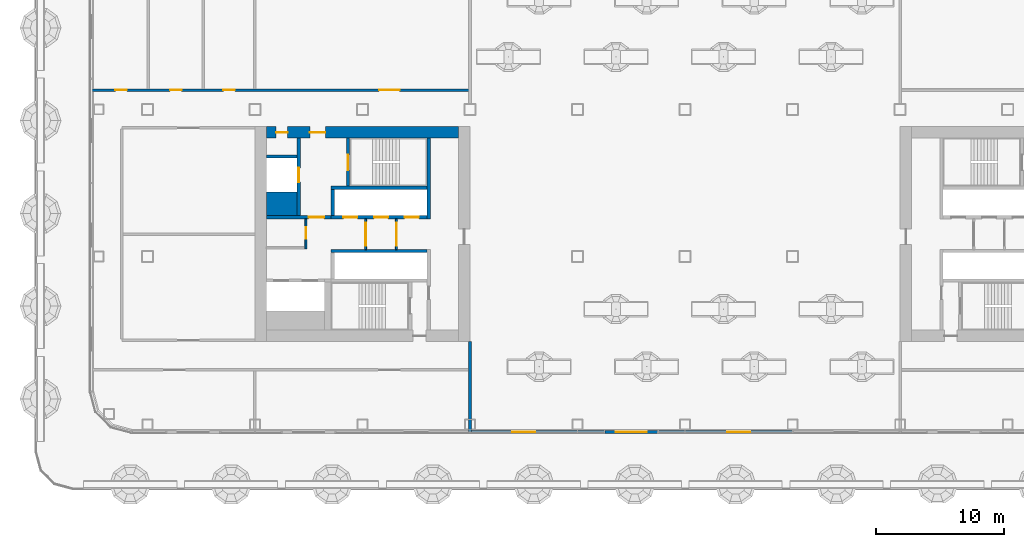
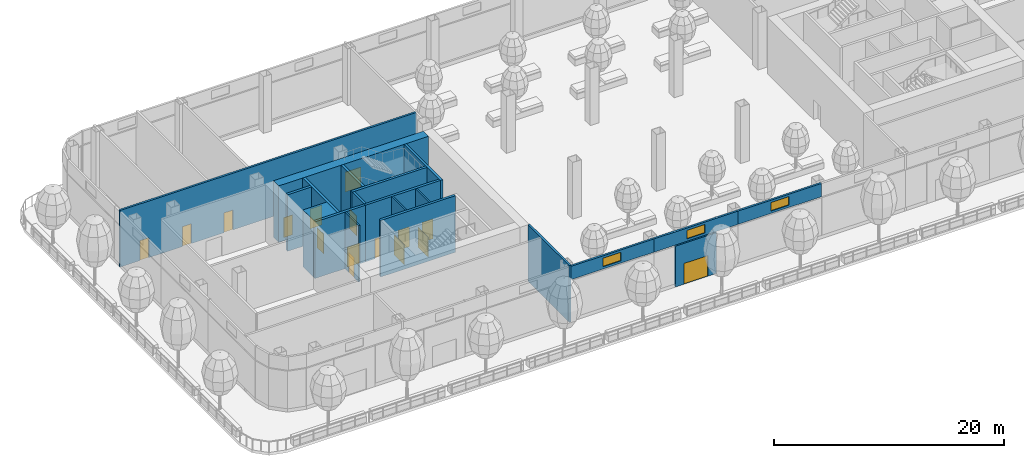
# One storey, part 13 of 44: 20 walls, 16 doors, 3 windows, 19 openings, 1 element without a shape of its own.
"""IFC4 building model written with IfcOpenShell, lengths in metres."""

from ifc_helpers import new_model, si_unit, direction, frame, frame_2d, origin, place, context, subcontext, project, spatial, rectangle, extrude, material, layer, layer_set, type_object, element, fill, aggregate, save


model = new_model("IFC4")

# Units and contexts
model_context = context("Model", 3, precision=1e-05, world=origin(), true_north=direction((0.0, 1.0)))
body_context = subcontext(model_context, "Body", "Model", "MODEL_VIEW")
ifc_project = project(units=[si_unit("LENGTHUNIT", "METRE"), si_unit("AREAUNIT", "SQUARE_METRE"), si_unit("VOLUMEUNIT", "CUBIC_METRE"), si_unit("PLANEANGLEUNIT", "RADIAN"), si_unit("MASSUNIT", "GRAM", prefix="KILO")], contexts=[model_context])

# Site, building, storey
site_placement = place(None, origin())
site = spatial("IfcSite", under=ifc_project, at=site_placement, CompositionType="ELEMENT")
building_placement = place(site_placement, origin())
building = spatial("IfcBuilding", under=site, at=building_placement, Name="Hakoniwa Tower and Hamabe Station Hall", CompositionType="ELEMENT")
storey_placement = place(building_placement, frame((0.0, 0.0, 69.0)))
storey = spatial("IfcBuildingStorey", under=building, at=storey_placement, Name="L19", CompositionType="ELEMENT", Elevation=69.0)

# Wall, opening, door
ifc_material_1 = material(Name="Gypsum board partition")
ifc_layer_1 = layer(ifc_material_1, 0.14990234375)
ifc_layer_set_1 = layer_set([ifc_layer_1], Name="CORE PARTITION 150 EI 60")
wall_type_1 = type_object("IfcWallType", Name="CORE PARTITION 150 EI 60", PredefinedType="PARTITIONING", material=ifc_layer_set_1)
wall_1_placement = place(storey_placement, frame((-22.550048828125, -1.199951171875, 0.0), z_axis=(0.0, 0.0, 1.0), x_axis=(0.0, 1.0, 0.0)))
wall_1 = element("IfcWall", 1, at=wall_1_placement, inside=storey, type_object=wall_type_1, Name="Core partition PL0 west", PredefinedType="PARTITIONING", context=body_context, shape_type="SweptSolid", body=[
    extrude(rectangle(XDim=2.39990234375, YDim=0.14990234375, at=frame_2d((1.199951171875, 0.0))), origin(), (0.0, 0.0, 1.0), 6.0),
])
opening_1_placement = place(wall_1_placement, frame((0.300048828125, 0.0, 0.0)))
opening_1 = element("IfcOpeningElement", 2, at=opening_1_placement, cuts=wall_1, Name="Opening CD-W-LP0-18", PredefinedType="OPENING", context=body_context, shape_type="SweptSolid", body=[
    extrude(rectangle(XDim=1.800048828125, YDim=2.10009765625, at=frame_2d((0.89990234375, 1.050048828125))), frame((0.0, 0.0849609375, 0.0), z_axis=(0.0, -1.0, 0.0), x_axis=(1.0, 0.0, 0.0)), (0.0, 0.0, 1.0), 0.169921875),
])
ifc_material_2 = material(Name="Steel fire door", Category="steel")
door_type_1 = type_object("IfcDoorType", Name="CORE DOOR 1800 FD60", OperationType="DOUBLE_DOOR_SINGLE_SWING", PredefinedType="DOOR", material=ifc_material_2)
door_1_placement = place(opening_1_placement, origin())
door_1 = element("IfcDoor", 3, at=door_1_placement, inside=storey, type_object=door_type_1, Name="Lift lobby partition door", OperationType="DOUBLE_DOOR_SINGLE_SWING", OverallHeight=2.10009765625, OverallWidth=1.800048828125, PredefinedType="DOOR", context=body_context, shape_type="SweptSolid", body=[
    extrude(rectangle(XDim=1.800048828125, YDim=2.10009765625, at=frame_2d((0.89990234375, 1.050048828125))), frame((0.0, 0.02490234375, 0.0), z_axis=(0.0, -1.0, 0.0), x_axis=(1.0, 0.0, 0.0)), (0.0, 0.0, 1.0), 0.050048828125),
])
fill(opening_1, door_1)

wall_2_placement = place(storey_placement, frame((-24.949951171875, -1.199951171875, 0.0), z_axis=(0.0, 0.0, 1.0), x_axis=(0.0, 1.0, 0.0)))
wall_2 = element("IfcWall", 4, at=wall_2_placement, inside=storey, type_object=wall_type_1, Name="Core partition PL1 west", PredefinedType="PARTITIONING", context=body_context, shape_type="SweptSolid", body=[
    extrude(rectangle(XDim=2.39990234375, YDim=0.14990234375, at=frame_2d((1.199951171875, 0.0))), origin(), (0.0, 0.0, 1.0), 6.0),
])
opening_2_placement = place(wall_2_placement, frame((0.300048828125, 0.0, 0.0)))
opening_2 = element("IfcOpeningElement", 5, at=opening_2_placement, cuts=wall_2, Name="Opening CD-W-LP1-18", PredefinedType="OPENING", context=body_context, shape_type="SweptSolid", body=[
    extrude(rectangle(XDim=1.800048828125, YDim=2.10009765625, at=frame_2d((0.89990234375, 1.050048828125))), frame((0.0, 0.0849609375, 0.0), z_axis=(0.0, -1.0, 0.0), x_axis=(1.0, 0.0, 0.0)), (0.0, 0.0, 1.0), 0.169921875),
])
door_2_placement = place(opening_2_placement, origin())
door_2 = element("IfcDoor", 6, at=door_2_placement, inside=storey, type_object=door_type_1, Name="Lift lobby partition door", OperationType="DOUBLE_DOOR_SINGLE_SWING", OverallHeight=2.10009765625, OverallWidth=1.800048828125, PredefinedType="DOOR", context=body_context, shape_type="SweptSolid", body=[
    extrude(rectangle(XDim=1.800048828125, YDim=2.10009765625, at=frame_2d((0.89990234375, 1.050048828125))), frame((0.0, 0.02490234375, 0.0), z_axis=(0.0, -1.0, 0.0), x_axis=(1.0, 0.0, 0.0)), (0.0, 0.0, 1.0), 0.050048828125),
])
fill(opening_2, door_2)

wall_3_placement = place(storey_placement, frame((-29.625, -1.14990234375, 0.0), z_axis=(0.0, 0.0, 1.0), x_axis=(0.0, 1.0, 0.0)))
wall_3 = element("IfcWall", 7, at=wall_3_placement, inside=storey, type_object=wall_type_1, Name="Core partition PW0 west", PredefinedType="PARTITIONING", context=body_context, shape_type="SweptSolid", body=[
    extrude(rectangle(XDim=2.349853515625, YDim=0.14990234375, at=frame_2d((1.1748046875, 0.0))), origin(), (0.0, 0.0, 1.0), 6.0),
])
opening_3_placement = place(wall_3_placement, frame((0.800048828125, 0.0, 0.0)))
opening_3 = element("IfcOpeningElement", 8, at=opening_3_placement, cuts=wall_3, Name="Opening CD-W-RM1-9", PredefinedType="OPENING", context=body_context, shape_type="SweptSolid", body=[
    extrude(rectangle(XDim=0.89990234375, YDim=2.10009765625, at=frame_2d((0.449951171875, 1.050048828125))), frame((0.0, 0.0849609375, 0.0), z_axis=(0.0, -1.0, 0.0), x_axis=(1.0, 0.0, 0.0)), (0.0, 0.0, 1.0), 0.169921875),
])
ifc_material_3 = material(Name="Steel fire door", Category="steel")
door_type_2 = type_object("IfcDoorType", Name="CORE DOOR 900 FD30", OperationType="NOTDEFINED", PredefinedType="DOOR", material=ifc_material_3)
door_3_placement = place(opening_3_placement, origin())
door_3 = element("IfcDoor", 9, at=door_3_placement, inside=storey, type_object=door_type_2, Name="Store room door", OperationType="SINGLE_SWING_RIGHT", OverallHeight=2.10009765625, OverallWidth=0.89990234375, PredefinedType="DOOR", context=body_context, shape_type="SweptSolid", body=[
    extrude(rectangle(XDim=0.89990234375, YDim=2.10009765625, at=frame_2d((0.449951171875, 1.050048828125))), frame((0.0, 0.02490234375, 0.0), z_axis=(0.0, -1.0, 0.0), x_axis=(1.0, 0.0, 0.0)), (0.0, 0.0, 1.0), 0.050048828125),
])
fill(opening_3, door_3)

# Wall, openings, doors
ifc_material_4 = material(Name="Concrete C72", Category="concrete")
ifc_layer_2 = layer(ifc_material_4, 0.89990234375)
ifc_layer_set_2 = layer_set([ifc_layer_2], Name="CORE WALL 900 C72")
wall_type_2 = type_object("IfcWallType", Name="CORE WALL 900 C72", PredefinedType="SHEAR", material=ifc_layer_set_2)
wall_4_placement = place(storey_placement, frame((-32.699951171875, 7.949951171875, 0.0), z_axis=(0.0, 0.0, 1.0), x_axis=(1.0, 0.0, 0.0)))
wall_4 = element("IfcWall", 10, at=wall_4_placement, inside=storey, type_object=wall_type_2, Name="Core wall NORTH west", PredefinedType="SHEAR", context=body_context, shape_type="SweptSolid", body=[
    extrude(rectangle(XDim=15.0, YDim=0.89990234375, at=frame_2d((7.5, 0.0))), origin(), (0.0, 0.0, 1.0), 6.0),
])
opening_4_placement = place(wall_4_placement, frame((3.39990234375, 0.0, 0.0)))
opening_4 = element("IfcOpeningElement", 11, at=opening_4_placement, cuts=wall_4, Name="Opening CD-W-FN1-12", PredefinedType="OPENING", context=body_context, shape_type="SweptSolid", body=[
    extrude(rectangle(XDim=1.199951171875, YDim=2.10009765625, at=frame_2d((0.60009765625, 1.050048828125))), frame((0.0, 0.4599609375, 0.0), z_axis=(0.0, -1.0, 0.0), x_axis=(1.0, 0.0, 0.0)), (0.0, 0.0, 1.0), 0.919921875),
])
opening_5_placement = place(wall_4_placement, frame((0.75, 0.0, 0.0)))
opening_5 = element("IfcOpeningElement", 12, at=opening_5_placement, cuts=wall_4, Name="Opening CD-W-FN2-9", PredefinedType="OPENING", context=body_context, shape_type="SweptSolid", body=[
    extrude(rectangle(XDim=0.89990234375, YDim=2.10009765625, at=frame_2d((0.449951171875, 1.050048828125))), frame((0.0, 0.4599609375, 0.0), z_axis=(0.0, -1.0, 0.0), x_axis=(1.0, 0.0, 0.0)), (0.0, 0.0, 1.0), 0.919921875),
])
ifc_material_5 = material(Name="Steel fire door", Category="steel")
door_type_3 = type_object("IfcDoorType", Name="CORE DOOR 1200 FD60", OperationType="DOUBLE_DOOR_SINGLE_SWING", PredefinedType="DOOR", material=ifc_material_5)
door_4_placement = place(opening_4_placement, origin())
door_4 = element("IfcDoor", 13, at=door_4_placement, inside=storey, type_object=door_type_3, Name="Stair vestibule door to the fire-fighting lobby", OperationType="DOUBLE_DOOR_SINGLE_SWING", OverallHeight=2.10009765625, OverallWidth=1.199951171875, PredefinedType="DOOR", context=body_context, shape_type="SweptSolid", body=[
    extrude(rectangle(XDim=1.199951171875, YDim=2.10009765625, at=frame_2d((0.60009765625, 1.050048828125))), frame((0.0, 0.02490234375, 0.0), z_axis=(0.0, -1.0, 0.0), x_axis=(1.0, 0.0, 0.0)), (0.0, 0.0, 1.0), 0.050048828125),
])
fill(opening_4, door_4)
door_5_placement = place(opening_5_placement, origin())
door_5 = element("IfcDoor", 14, at=door_5_placement, inside=storey, type_object=door_type_2, Name="Riser access door", OperationType="SINGLE_SWING_LEFT", OverallHeight=2.10009765625, OverallWidth=0.89990234375, PredefinedType="DOOR", context=body_context, shape_type="SweptSolid", body=[
    extrude(rectangle(XDim=0.89990234375, YDim=2.10009765625, at=frame_2d((0.449951171875, 1.050048828125))), frame((0.0, 0.02490234375, 0.0), z_axis=(0.0, -1.0, 0.0), x_axis=(1.0, 0.0, 0.0)), (0.0, 0.0, 1.0), 0.050048828125),
])
fill(opening_5, door_5)

# Walls
ifc_material_6 = material(Name="Concrete C72", Category="concrete")
ifc_layer_3 = layer(ifc_material_6, 1.85009765625)
ifc_layer_set_3 = layer_set([ifc_layer_3], Name="CORE WEB WALL 1850 C72")
wall_type_3 = type_object("IfcWallType", Name="CORE WEB WALL 1850 C72", PredefinedType="SHEAR", material=ifc_layer_set_3)
wall_5_placement = place(storey_placement, frame((-32.699951171875, 2.375, 0.0), z_axis=(0.0, 0.0, 1.0), x_axis=(1.0, 0.0, 0.0)))
element("IfcWall", 15, at=wall_5_placement, inside=storey, type_object=wall_type_3, Name="Core wall CA west", PredefinedType="SHEAR", context=body_context, shape_type="SweptSolid", body=[
    extrude(rectangle(XDim=2.39990234375, YDim=1.85009765625, at=frame_2d((1.199951171875, 0.0))), origin(), (0.0, 0.0, 1.0), 6.0),
])
ifc_material_7 = material(Name="Concrete C72", Category="concrete")
ifc_layer_4 = layer(ifc_material_7, 0.25)
ifc_layer_set_4 = layer_set([ifc_layer_4], Name="CORE WEB WALL 250 C72")
wall_type_4 = type_object("IfcWallType", Name="CORE WEB WALL 250 C72", PredefinedType="SHEAR", material=ifc_layer_set_4)
wall_6_placement = place(storey_placement, frame((-20.02490234375, 1.199951171875, 0.0), z_axis=(0.0, 0.0, 1.0), x_axis=(0.0, 1.0, 0.0)))
element("IfcWall", 16, at=wall_6_placement, inside=storey, type_object=wall_type_4, Name="Core wall W1N west", PredefinedType="SHEAR", context=body_context, shape_type="SweptSolid", body=[
    extrude(rectangle(XDim=6.300048828125, YDim=0.25, at=frame_2d((3.14990234375, 0.0))), origin(), (0.0, 0.0, 1.0), 6.0),
])

# Wall, openings, doors
wall_7_placement = place(storey_placement, frame((-27.64990234375, 1.324951171875, 0.0), z_axis=(0.0, 0.0, 1.0), x_axis=(1.0, 0.0, 0.0)))
wall_7 = element("IfcWall", 17, at=wall_7_placement, inside=storey, type_object=wall_type_4, Name="Core wall NF west", PredefinedType="SHEAR", context=body_context, shape_type="SweptSolid", body=[
    extrude(rectangle(XDim=7.5, YDim=0.25, at=frame_2d((3.75, 0.0))), origin(), (0.0, 0.0, 1.0), 6.0),
])
opening_6_placement = place(wall_7_placement, frame((5.75, 0.0, 0.0)))
opening_6 = element("IfcOpeningElement", 18, at=opening_6_placement, cuts=wall_7, Name="Opening LD-LR1", PredefinedType="OPENING", context=body_context, shape_type="SweptSolid", body=[
    extrude(rectangle(XDim=1.10009765625, YDim=2.10009765625, at=frame_2d((0.550048828125, 1.050048828125))), frame((0.0, 0.135009765625, 0.0), z_axis=(0.0, -1.0, 0.0), x_axis=(1.0, 0.0, 0.0)), (0.0, 0.0, 1.0), 0.27001953125),
])
opening_7_placement = place(wall_7_placement, frame((3.35009765625, 0.0, 0.0)))
opening_7 = element("IfcOpeningElement", 19, at=opening_7_placement, cuts=wall_7, Name="Opening LD-LR2", PredefinedType="OPENING", context=body_context, shape_type="SweptSolid", body=[
    extrude(rectangle(XDim=1.10009765625, YDim=2.10009765625, at=frame_2d((0.550048828125, 1.050048828125))), frame((0.0, 0.135009765625, 0.0), z_axis=(0.0, -1.0, 0.0), x_axis=(1.0, 0.0, 0.0)), (0.0, 0.0, 1.0), 0.27001953125),
])
opening_8_placement = place(wall_7_placement, frame((0.949951171875, 0.0, 0.0)))
opening_8 = element("IfcOpeningElement", 20, at=opening_8_placement, cuts=wall_7, Name="Opening LD-LR3", PredefinedType="OPENING", context=body_context, shape_type="SweptSolid", body=[
    extrude(rectangle(XDim=1.10009765625, YDim=2.10009765625, at=frame_2d((0.550048828125, 1.050048828125))), frame((0.0, 0.135009765625, 0.0), z_axis=(0.0, -1.0, 0.0), x_axis=(1.0, 0.0, 0.0)), (0.0, 0.0, 1.0), 0.27001953125),
])
ifc_material_8 = material(Name="Stainless steel SUS304", Category="steel")
door_type_4 = type_object("IfcDoorType", Name="LIFT LANDING DOOR 1100 FD60", OperationType="DOUBLE_DOOR_SLIDING", PredefinedType="DOOR", material=ifc_material_8)
door_6_placement = place(opening_6_placement, origin())
door_6 = element("IfcDoor", 21, at=door_6_placement, inside=storey, type_object=door_type_4, Name="Lift landing door LR1 L19", OperationType="DOUBLE_DOOR_SLIDING", OverallHeight=2.10009765625, OverallWidth=1.10009765625, PredefinedType="DOOR", context=body_context, shape_type="SweptSolid", body=[
    extrude(rectangle(XDim=1.10009765625, YDim=2.10009765625, at=frame_2d((0.550048828125, 1.050048828125))), frame((0.0, 0.02490234375, 0.0), z_axis=(0.0, -1.0, 0.0), x_axis=(1.0, 0.0, 0.0)), (0.0, 0.0, 1.0), 0.050048828125),
])
fill(opening_6, door_6)
door_7_placement = place(opening_7_placement, origin())
door_7 = element("IfcDoor", 22, at=door_7_placement, inside=storey, type_object=door_type_4, Name="Lift landing door LR2 L19", OperationType="DOUBLE_DOOR_SLIDING", OverallHeight=2.10009765625, OverallWidth=1.10009765625, PredefinedType="DOOR", context=body_context, shape_type="SweptSolid", body=[
    extrude(rectangle(XDim=1.10009765625, YDim=2.10009765625, at=frame_2d((0.550048828125, 1.050048828125))), frame((0.0, 0.02490234375, 0.0), z_axis=(0.0, -1.0, 0.0), x_axis=(1.0, 0.0, 0.0)), (0.0, 0.0, 1.0), 0.050048828125),
])
fill(opening_7, door_7)
door_8_placement = place(opening_8_placement, origin())
door_8 = element("IfcDoor", 23, at=door_8_placement, inside=storey, type_object=door_type_4, Name="Lift landing door LR3 L19", OperationType="DOUBLE_DOOR_SLIDING", OverallHeight=2.10009765625, OverallWidth=1.10009765625, PredefinedType="DOOR", context=body_context, shape_type="SweptSolid", body=[
    extrude(rectangle(XDim=1.10009765625, YDim=2.10009765625, at=frame_2d((0.550048828125, 1.050048828125))), frame((0.0, 0.02490234375, 0.0), z_axis=(0.0, -1.0, 0.0), x_axis=(1.0, 0.0, 0.0)), (0.0, 0.0, 1.0), 0.050048828125),
])
fill(opening_8, door_8)

# Walls
wall_8_placement = place(storey_placement, frame((-27.52490234375, 1.449951171875, 0.0), z_axis=(0.0, 0.0, 1.0), x_axis=(0.0, 1.0, 0.0)))
element("IfcWall", 24, at=wall_8_placement, inside=storey, type_object=wall_type_4, Name="Core wall NE west", PredefinedType="SHEAR", context=body_context, shape_type="SweptSolid", body=[
    extrude(rectangle(XDim=2.050048828125, YDim=0.25, at=frame_2d((1.02490234375, 0.0))), origin(), (0.0, 0.0, 1.0), 6.0),
])
wall_9_placement = place(storey_placement, frame((-27.64990234375, 3.625, 0.0), z_axis=(0.0, 0.0, 1.0), x_axis=(1.0, 0.0, 0.0)))
element("IfcWall", 25, at=wall_9_placement, inside=storey, type_object=wall_type_4, Name="Core wall NR west", PredefinedType="SHEAR", context=body_context, shape_type="SweptSolid", body=[
    extrude(rectangle(XDim=7.5, YDim=0.25, at=frame_2d((3.75, 0.0))), origin(), (0.0, 0.0, 1.0), 6.0),
])

# Wall, opening, door
wall_10_placement = place(storey_placement, frame((-26.324951171875, 3.75, 0.0), z_axis=(0.0, 0.0, 1.0), x_axis=(0.0, 1.0, 0.0)))
wall_10 = element("IfcWall", 26, at=wall_10_placement, inside=storey, type_object=wall_type_4, Name="Core wall NSE west", PredefinedType="SHEAR", context=body_context, shape_type="SweptSolid", body=[
    extrude(rectangle(XDim=3.75, YDim=0.25, at=frame_2d((1.875, 0.0))), origin(), (0.0, 0.0, 1.0), 6.0),
])
opening_9_placement = place(wall_10_placement, frame((1.25, 0.0, 0.0)))
opening_9 = element("IfcOpeningElement", 27, at=opening_9_placement, cuts=wall_10, Name="Opening CD-W-SN-12", PredefinedType="OPENING", context=body_context, shape_type="SweptSolid", body=[
    extrude(rectangle(XDim=1.199951171875, YDim=2.10009765625, at=frame_2d((0.60009765625, 1.050048828125))), frame((0.0, 0.135009765625, 0.0), z_axis=(0.0, -1.0, 0.0), x_axis=(1.0, 0.0, 0.0)), (0.0, 0.0, 1.0), 0.27001953125),
])
door_9_placement = place(opening_9_placement, origin())
door_9 = element("IfcDoor", 28, at=door_9_placement, inside=storey, type_object=door_type_3, Name="Escape stair door", OperationType="DOUBLE_DOOR_SINGLE_SWING", OverallHeight=2.10009765625, OverallWidth=1.199951171875, PredefinedType="DOOR", context=body_context, shape_type="SweptSolid", body=[
    extrude(rectangle(XDim=1.199951171875, YDim=2.10009765625, at=frame_2d((0.60009765625, 1.050048828125))), frame((0.0, 0.02490234375, 0.0), z_axis=(0.0, -1.0, 0.0), x_axis=(1.0, 0.0, 0.0)), (0.0, 0.0, 1.0), 0.050048828125),
])
fill(opening_9, door_9)

wall_11_placement = place(storey_placement, frame((-32.699951171875, 1.324951171875, 0.0), z_axis=(0.0, 0.0, 1.0), x_axis=(1.0, 0.0, 0.0)))
wall_11 = element("IfcWall", 29, at=wall_11_placement, inside=storey, type_object=wall_type_4, Name="Core wall ELN west", PredefinedType="SHEAR", context=body_context, shape_type="SweptSolid", body=[
    extrude(rectangle(XDim=5.050048828125, YDim=0.25, at=frame_2d((2.52490234375, 0.0))), origin(), (0.0, 0.0, 1.0), 6.0),
])
opening_10_placement = place(wall_11_placement, frame((3.300048828125, 0.0, 0.0)))
opening_10 = element("IfcOpeningElement", 30, at=opening_10_placement, cuts=wall_11, Name="Opening CD-W-FL-12", PredefinedType="OPENING", context=body_context, shape_type="SweptSolid", body=[
    extrude(rectangle(XDim=1.199951171875, YDim=2.10009765625, at=frame_2d((0.60009765625, 1.050048828125))), frame((0.0, 0.135009765625, 0.0), z_axis=(0.0, -1.0, 0.0), x_axis=(1.0, 0.0, 0.0)), (0.0, 0.0, 1.0), 0.27001953125),
])
door_10_placement = place(opening_10_placement, origin())
door_10 = element("IfcDoor", 31, at=door_10_placement, inside=storey, type_object=door_type_3, Name="Stair vestibule door to the fire-fighting lobby", OperationType="DOUBLE_DOOR_SINGLE_SWING", OverallHeight=2.10009765625, OverallWidth=1.199951171875, PredefinedType="DOOR", context=body_context, shape_type="SweptSolid", body=[
    extrude(rectangle(XDim=1.199951171875, YDim=2.10009765625, at=frame_2d((0.60009765625, 1.050048828125))), frame((0.0, 0.02490234375, 0.0), z_axis=(0.0, -1.0, 0.0), x_axis=(1.0, 0.0, 0.0)), (0.0, 0.0, 1.0), 0.050048828125),
])
fill(opening_10, door_10)

wall_12_placement = place(storey_placement, frame((-30.175048828125, 1.449951171875, 0.0), z_axis=(0.0, 0.0, 1.0), x_axis=(0.0, 1.0, 0.0)))
wall_12 = element("IfcWall", 32, at=wall_12_placement, inside=storey, type_object=wall_type_4, Name="Core wall FFF west", PredefinedType="SHEAR", context=body_context, shape_type="SweptSolid", body=[
    extrude(rectangle(XDim=6.050048828125, YDim=0.25, at=frame_2d((3.02490234375, 0.0))), origin(), (0.0, 0.0, 1.0), 6.0),
])
opening_11_placement = place(wall_12_placement, frame((2.625, 0.0, 0.0)))
opening_11 = element("IfcOpeningElement", 33, at=opening_11_placement, cuts=wall_12, Name="Opening LD-FF1", PredefinedType="OPENING", context=body_context, shape_type="SweptSolid", body=[
    extrude(rectangle(XDim=1.10009765625, YDim=2.10009765625, at=frame_2d((0.550048828125, 1.050048828125))), frame((0.0, 0.135009765625, 0.0), z_axis=(0.0, -1.0, 0.0), x_axis=(1.0, 0.0, 0.0)), (0.0, 0.0, 1.0), 0.27001953125),
])
door_11_placement = place(opening_11_placement, origin())
door_11 = element("IfcDoor", 34, at=door_11_placement, inside=storey, type_object=door_type_4, Name="Lift landing door FF1 L19", OperationType="DOUBLE_DOOR_SLIDING", OverallHeight=2.10009765625, OverallWidth=1.10009765625, PredefinedType="DOOR", context=body_context, shape_type="SweptSolid", body=[
    extrude(rectangle(XDim=1.10009765625, YDim=2.10009765625, at=frame_2d((0.550048828125, 1.050048828125))), frame((0.0, 0.02490234375, 0.0), z_axis=(0.0, -1.0, 0.0), x_axis=(1.0, 0.0, 0.0)), (0.0, 0.0, 1.0), 0.050048828125),
])
fill(opening_11, door_11)

# Walls
wall_13_placement = place(storey_placement, frame((-32.699951171875, 6.074951171875, 0.0), z_axis=(0.0, 0.0, 1.0), x_axis=(1.0, 0.0, 0.0)))
element("IfcWall", 35, at=wall_13_placement, inside=storey, type_object=wall_type_4, Name="Core wall C2 west", PredefinedType="SHEAR", context=body_context, shape_type="SweptSolid", body=[
    extrude(rectangle(XDim=2.39990234375, YDim=0.25, at=frame_2d((1.199951171875, 0.0))), origin(), (0.0, 0.0, 1.0), 6.0),
])
wall_14_placement = place(storey_placement, frame((-27.64990234375, -1.324951171875, 0.0), z_axis=(0.0, 0.0, 1.0), x_axis=(1.0, 0.0, 0.0)))
element("IfcWall", 36, at=wall_14_placement, inside=storey, type_object=wall_type_4, Name="Core wall SF west", PredefinedType="SHEAR", context=body_context, shape_type="SweptSolid", body=[
    extrude(rectangle(XDim=7.5, YDim=0.25, at=frame_2d((3.75, 0.0))), origin(), (0.0, 0.0, 1.0), 6.0),
])

# Wall, openings, doors
ifc_material_9 = material(Name="Fire-rated gypsum board partition", Category="gypsum")
ifc_layer_5 = layer(ifc_material_9, 0.199951171875)
ifc_layer_set_5 = layer_set([ifc_layer_5], Name="Corridor Wall 200")
wall_type_5 = type_object("IfcWallType", Name="Corridor Wall 200", PredefinedType="PARTITIONING", material=ifc_layer_set_5)
wall_15_placement = place(storey_placement, frame((-46.5, 11.25, 0.0), z_axis=(0.0, 0.0, 1.0), x_axis=(1.0, 0.0, 0.0)))
wall_15 = element("IfcWall", 37, at=wall_15_placement, inside=storey, type_object=wall_type_5, Name="GW-L19-011", PredefinedType="PARTITIONING", context=body_context, shape_type="SweptSolid", body=[
    extrude(rectangle(XDim=29.699951171875, YDim=0.199951171875, at=frame_2d((14.85009765625, 0.0))), origin(), (0.0, 0.0, 1.0), 6.0),
])
opening_12_placement = place(wall_15_placement, frame((1.989990234375, 0.0, 0.0)))
opening_12 = element("IfcOpeningElement", 38, at=opening_12_placement, cuts=wall_15, Name="Opening GD-SL19-09", PredefinedType="OPENING", context=body_context, shape_type="SweptSolid", body=[
    extrude(rectangle(XDim=0.89990234375, YDim=2.10009765625, at=frame_2d((0.449951171875, 1.050048828125))), frame((0.0, 0.10986328125, 0.0), z_axis=(0.0, -1.0, 0.0), x_axis=(1.0, 0.0, 0.0)), (0.0, 0.0, 1.0), 0.219970703125),
])
opening_13_placement = place(wall_15_placement, frame((6.27490234375, 0.0, 0.0)))
opening_13 = element("IfcOpeningElement", 39, at=opening_13_placement, cuts=wall_15, Name="Opening GD-SL19-10", PredefinedType="OPENING", context=body_context, shape_type="SweptSolid", body=[
    extrude(rectangle(XDim=0.89990234375, YDim=2.10009765625, at=frame_2d((0.449951171875, 1.050048828125))), frame((0.0, 0.10986328125, 0.0), z_axis=(0.0, -1.0, 0.0), x_axis=(1.0, 0.0, 0.0)), (0.0, 0.0, 1.0), 0.219970703125),
])
opening_14_placement = place(wall_15_placement, frame((10.43505859375, 0.0, 0.0)))
opening_14 = element("IfcOpeningElement", 40, at=opening_14_placement, cuts=wall_15, Name="Opening GD-SL19-11", PredefinedType="OPENING", context=body_context, shape_type="SweptSolid", body=[
    extrude(rectangle(XDim=0.89990234375, YDim=2.10009765625, at=frame_2d((0.449951171875, 1.050048828125))), frame((0.0, 0.10986328125, 0.0), z_axis=(0.0, -1.0, 0.0), x_axis=(1.0, 0.0, 0.0)), (0.0, 0.0, 1.0), 0.219970703125),
])
opening_15_placement = place(wall_15_placement, frame((22.60009765625, 0.0, 0.0)))
opening_15 = element("IfcOpeningElement", 41, at=opening_15_placement, cuts=wall_15, Name="Opening GD-SL19-12", PredefinedType="OPENING", context=body_context, shape_type="SweptSolid", body=[
    extrude(rectangle(XDim=1.60009765625, YDim=2.10009765625, at=frame_2d((0.800048828125, 1.050048828125))), frame((0.0, 0.10986328125, 0.0), z_axis=(0.0, -1.0, 0.0), x_axis=(1.0, 0.0, 0.0)), (0.0, 0.0, 1.0), 0.219970703125),
])
ifc_material_10 = material(Name="Timber door leaf", Category="wood")
door_type_5 = type_object("IfcDoorType", Name="Double Door 1600", OperationType="DOUBLE_DOOR_SINGLE_SWING", PredefinedType="DOOR", material=ifc_material_10)
door_12_placement = place(opening_15_placement, origin())
door_12 = element("IfcDoor", 42, at=door_12_placement, inside=storey, type_object=door_type_5, Name="Door GD-SL19-12", OperationType="DOUBLE_DOOR_SINGLE_SWING", OverallHeight=2.10009765625, OverallWidth=1.60009765625, PredefinedType="DOOR", context=body_context, shape_type="SweptSolid", body=[
    extrude(rectangle(XDim=1.60009765625, YDim=2.10009765625, at=frame_2d((0.800048828125, 1.050048828125))), frame((0.0, 0.02490234375, 0.0), z_axis=(0.0, -1.0, 0.0), x_axis=(1.0, 0.0, 0.0)), (0.0, 0.0, 1.0), 0.050048828125),
])
fill(opening_15, door_12)
ifc_material_11 = material(Name="Timber door leaf", Category="wood")
door_type_6 = type_object("IfcDoorType", Name="Service Door 900", OperationType="SINGLE_SWING_LEFT", PredefinedType="DOOR", material=ifc_material_11)
door_13_placement = place(opening_12_placement, origin())
door_13 = element("IfcDoor", 43, at=door_13_placement, inside=storey, type_object=door_type_6, Name="Door GD-SL19-09", OperationType="SINGLE_SWING_LEFT", OverallHeight=2.10009765625, OverallWidth=0.89990234375, PredefinedType="DOOR", context=body_context, shape_type="SweptSolid", body=[
    extrude(rectangle(XDim=0.89990234375, YDim=2.10009765625, at=frame_2d((0.449951171875, 1.050048828125))), frame((0.0, 0.02490234375, 0.0), z_axis=(0.0, -1.0, 0.0), x_axis=(1.0, 0.0, 0.0)), (0.0, 0.0, 1.0), 0.050048828125),
])
fill(opening_12, door_13)
door_14_placement = place(opening_13_placement, origin())
door_14 = element("IfcDoor", 44, at=door_14_placement, inside=storey, type_object=door_type_6, Name="Door GD-SL19-10", OperationType="SINGLE_SWING_LEFT", OverallHeight=2.10009765625, OverallWidth=0.89990234375, PredefinedType="DOOR", context=body_context, shape_type="SweptSolid", body=[
    extrude(rectangle(XDim=0.89990234375, YDim=2.10009765625, at=frame_2d((0.449951171875, 1.050048828125))), frame((0.0, 0.02490234375, 0.0), z_axis=(0.0, -1.0, 0.0), x_axis=(1.0, 0.0, 0.0)), (0.0, 0.0, 1.0), 0.050048828125),
])
fill(opening_13, door_14)
door_15_placement = place(opening_14_placement, origin())
door_15 = element("IfcDoor", 45, at=door_15_placement, inside=storey, type_object=door_type_6, Name="Door GD-SL19-11", OperationType="SINGLE_SWING_RIGHT", OverallHeight=2.10009765625, OverallWidth=0.89990234375, PredefinedType="DOOR", context=body_context, shape_type="SweptSolid", body=[
    extrude(rectangle(XDim=0.89990234375, YDim=2.10009765625, at=frame_2d((0.449951171875, 1.050048828125))), frame((0.0, 0.02490234375, 0.0), z_axis=(0.0, -1.0, 0.0), x_axis=(1.0, 0.0, 0.0)), (0.0, 0.0, 1.0), 0.050048828125),
])
fill(opening_14, door_15)

# Curtain wall, wall, opening, door
ifc_material_12 = material(Name="Dark low-e laminated glass", Category="glass")
ifc_layer_6 = layer(ifc_material_12, 0.199951171875)
ifc_layer_set_6 = layer_set([ifc_layer_6], Name="CW-2 SKY GARDEN")
curtain_wall_type = type_object("IfcCurtainWallType", Name="CW-2 SKY GARDEN", PredefinedType="NOTDEFINED", material=ifc_layer_set_6)
curtain_wall_placement = place(storey_placement, origin())
curtain_wall = element("IfcCurtainWall", 46, at=curtain_wall_placement, inside=storey, type_object=curtain_wall_type, Name="CW-2 curtain wall", PredefinedType="NOTDEFINED")
ifc_material_13 = material(Name="Dark glass-faced aluminium panel", Category="aluminium")
ifc_layer_7 = layer(ifc_material_13, 0.199951171875)
ifc_layer_set_7 = layer_set([ifc_layer_7], Name="DOOR BAY WALL")
wall_type_6 = type_object("IfcWallType", Name="DOOR BAY WALL", PredefinedType="NOTDEFINED", material=ifc_layer_set_7)
wall_16_placement = place(storey_placement, frame((-6.27001953125, -15.449951171875, 0.0), z_axis=(0.0, 0.0, 1.0), x_axis=(1.0, 0.0, 0.0)))
wall_16 = element("IfcWall", 47, at=wall_16_placement, type_object=wall_type_6, Name="Door bay wall", PredefinedType="NOTDEFINED", context=body_context, shape_type="SweptSolid", body=[
    extrude(rectangle(XDim=4.14013671875, YDim=0.199951171875, at=frame_2d((2.070068359375, 0.0))), origin(), (0.0, 0.0, 1.0), 4.330078125),
])
opening_16_placement = place(wall_16_placement, frame((0.8701171875, 0.0, 0.0)))
opening_16 = element("IfcOpeningElement", 48, at=opening_16_placement, cuts=wall_16, Name="Opening TD-S07-T1", PredefinedType="OPENING", context=body_context, shape_type="SweptSolid", body=[
    extrude(rectangle(XDim=2.39990234375, YDim=2.199951171875, at=frame_2d((1.199951171875, 1.10009765625))), frame((0.0, 0.10986328125, 0.0), z_axis=(0.0, -1.0, 0.0), x_axis=(1.0, 0.0, 0.0)), (0.0, 0.0, 1.0), 0.219970703125),
])
ifc_material_14 = material(Name="Dark low-e laminated glass", Category="glass")
door_type_7 = type_object("IfcDoorType", Name="BALCONY SLIDING DOOR 2400X2200", OperationType="SLIDING_TO_LEFT", PredefinedType="DOOR", material=ifc_material_14)
door_16_placement = place(opening_16_placement, frame((2.39990234375, 0.0, 0.0), z_axis=(0.0, 0.0, 1.0), x_axis=(-1.0, 0.0, 0.0)))
door_16 = element("IfcDoor", 49, at=door_16_placement, inside=storey, type_object=door_type_7, Name="Balcony sliding door", OperationType="SLIDING_TO_LEFT", OverallHeight=2.199951171875, OverallWidth=2.39990234375, PredefinedType="DOOR", context=body_context, shape_type="SweptSolid", body=[
    extrude(rectangle(XDim=2.39990234375, YDim=2.199951171875, at=frame_2d((1.199951171875, 1.10009765625))), frame((0.0, 0.02490234375, 0.0), z_axis=(0.0, -1.0, 0.0), x_axis=(1.0, 0.0, 0.0)), (0.0, 0.0, 1.0), 0.050048828125),
])
fill(opening_16, door_16)

# Wall
ifc_material_15 = material(Name="Fire-rated gypsum board partition", Category="gypsum")
ifc_layer_8 = layer(ifc_material_15, 0.199951171875)
ifc_layer_set_8 = layer_set([ifc_layer_8], Name="Party Wall 200")
wall_type_7 = type_object("IfcWallType", Name="Party Wall 200", PredefinedType="PARTITIONING", material=ifc_layer_set_8)
wall_17_placement = place(storey_placement, frame((-16.800048828125, -15.550048828125, 0.0), z_axis=(0.0, 0.0, 1.0), x_axis=(0.0, 1.0, 0.0)))
element("IfcWall", 50, at=wall_17_placement, inside=storey, type_object=wall_type_7, Name="GW-L19-018", PredefinedType="PARTITIONING", context=body_context, shape_type="SweptSolid", body=[
    extrude(rectangle(XDim=7.16015625, YDim=0.199951171875, at=frame_2d((3.580078125, 0.0))), origin(), (0.0, 0.0, 1.0), 6.0),
])

# Wall, opening, window
ifc_material_16 = material(Name="Dark glass-faced aluminium panel", Category="aluminium")
ifc_layer_9 = layer(ifc_material_16, 0.199951171875)
ifc_layer_set_9 = layer_set([ifc_layer_9], Name="VENT BAND WALL")
wall_type_8 = type_object("IfcWallType", Name="VENT BAND WALL", PredefinedType="NOTDEFINED", material=ifc_layer_set_9)
wall_18_placement = place(storey_placement, frame((-16.800048828125, -15.449951171875, 4.449951171875), z_axis=(0.0, 0.0, 1.0), x_axis=(1.0, 0.0, 0.0)))
wall_18 = element("IfcWall", 51, at=wall_18_placement, type_object=wall_type_8, Name="Vent band wall", PredefinedType="NOTDEFINED", context=body_context, shape_type="SweptSolid", body=[
    extrude(rectangle(XDim=8.400146484375, YDim=0.199951171875, at=frame_2d((4.2001953125, 0.0))), origin(), (0.0, 0.0, 1.0), 1.400146484375),
])
opening_17_placement = place(wall_18_placement, frame((3.300048828125, 0.0, 0.25)))
opening_17 = element("IfcOpeningElement", 52, at=opening_17_placement, cuts=wall_18, Name="Opening VW-1", PredefinedType="OPENING", context=body_context, shape_type="SweptSolid", body=[
    extrude(rectangle(XDim=1.800048828125, YDim=0.89990234375, at=frame_2d((0.89990234375, 0.449951171875))), frame((0.0, 0.10986328125, 0.0), z_axis=(0.0, -1.0, 0.0), x_axis=(1.0, 0.0, 0.0)), (0.0, 0.0, 1.0), 0.219970703125),
])
ifc_material_17 = material(Name="Dark low-e laminated glass", Category="glass")
window_type = type_object("IfcWindowType", Name="VENT WINDOW 1800X900", PartitioningType="SINGLE_PANEL", PredefinedType="WINDOW", material=ifc_material_17)
window_1_placement = place(opening_17_placement, origin())
window_1 = element("IfcWindow", 53, at=window_1_placement, inside=storey, type_object=window_type, Name="Vent window", OverallHeight=0.89990234375, OverallWidth=1.800048828125, PartitioningType="SINGLE_PANEL", PredefinedType="WINDOW", context=body_context, shape_type="SweptSolid", body=[
    extrude(rectangle(XDim=1.800048828125, YDim=0.89990234375, at=frame_2d((0.89990234375, 0.449951171875))), frame((0.0, 0.030029296875, 0.0), z_axis=(0.0, -1.0, 0.0), x_axis=(1.0, 0.0, 0.0)), (0.0, 0.0, 1.0), 0.06005859375),
])
fill(opening_17, window_1)

wall_19_placement = place(storey_placement, frame((-8.39990234375, -15.449951171875, 4.449951171875), z_axis=(0.0, 0.0, 1.0), x_axis=(1.0, 0.0, 0.0)))
wall_19 = element("IfcWall", 54, at=wall_19_placement, type_object=wall_type_8, Name="Vent band wall", PredefinedType="NOTDEFINED", context=body_context, shape_type="SweptSolid", body=[
    extrude(rectangle(XDim=8.39990234375, YDim=0.199951171875, at=frame_2d((4.199951171875, 0.0))), origin(), (0.0, 0.0, 1.0), 1.400146484375),
])
opening_18_placement = place(wall_19_placement, frame((3.300048828125, 0.0, 0.25)))
opening_18 = element("IfcOpeningElement", 55, at=opening_18_placement, cuts=wall_19, Name="Opening VW-1", PredefinedType="OPENING", context=body_context, shape_type="SweptSolid", body=[
    extrude(rectangle(XDim=1.800048828125, YDim=0.89990234375, at=frame_2d((0.89990234375, 0.449951171875))), frame((0.0, 0.10986328125, 0.0), z_axis=(0.0, -1.0, 0.0), x_axis=(1.0, 0.0, 0.0)), (0.0, 0.0, 1.0), 0.219970703125),
])
window_2_placement = place(opening_18_placement, origin())
window_2 = element("IfcWindow", 56, at=window_2_placement, inside=storey, type_object=window_type, Name="Vent window", OverallHeight=0.89990234375, OverallWidth=1.800048828125, PartitioningType="SINGLE_PANEL", PredefinedType="WINDOW", context=body_context, shape_type="SweptSolid", body=[
    extrude(rectangle(XDim=1.800048828125, YDim=0.89990234375, at=frame_2d((0.89990234375, 0.449951171875))), frame((0.0, 0.030029296875, 0.0), z_axis=(0.0, -1.0, 0.0), x_axis=(1.0, 0.0, 0.0)), (0.0, 0.0, 1.0), 0.06005859375),
])
fill(opening_18, window_2)

wall_20_placement = place(storey_placement, frame((0.0, -15.449951171875, 4.449951171875), z_axis=(0.0, 0.0, 1.0), x_axis=(1.0, 0.0, 0.0)))
wall_20 = element("IfcWall", 57, at=wall_20_placement, type_object=wall_type_8, Name="Vent band wall", PredefinedType="NOTDEFINED", context=body_context, shape_type="SweptSolid", body=[
    extrude(rectangle(XDim=8.39990234375, YDim=0.199951171875, at=frame_2d((4.199951171875, 0.0))), origin(), (0.0, 0.0, 1.0), 1.400146484375),
])
opening_19_placement = place(wall_20_placement, frame((3.300048828125, 0.0, 0.25)))
opening_19 = element("IfcOpeningElement", 58, at=opening_19_placement, cuts=wall_20, Name="Opening VW-1", PredefinedType="OPENING", context=body_context, shape_type="SweptSolid", body=[
    extrude(rectangle(XDim=1.800048828125, YDim=0.89990234375, at=frame_2d((0.89990234375, 0.449951171875))), frame((0.0, 0.10986328125, 0.0), z_axis=(0.0, -1.0, 0.0), x_axis=(1.0, 0.0, 0.0)), (0.0, 0.0, 1.0), 0.219970703125),
])
window_3_placement = place(opening_19_placement, origin())
window_3 = element("IfcWindow", 59, at=window_3_placement, inside=storey, type_object=window_type, Name="Vent window", OverallHeight=0.89990234375, OverallWidth=1.800048828125, PartitioningType="SINGLE_PANEL", PredefinedType="WINDOW", context=body_context, shape_type="SweptSolid", body=[
    extrude(rectangle(XDim=1.800048828125, YDim=0.89990234375, at=frame_2d((0.89990234375, 0.449951171875))), frame((0.0, 0.030029296875, 0.0), z_axis=(0.0, -1.0, 0.0), x_axis=(1.0, 0.0, 0.0)), (0.0, 0.0, 1.0), 0.06005859375),
])
fill(opening_19, window_3)

aggregate(curtain_wall, [wall_18, wall_19, wall_20, wall_16])

save(model, "model.ifc")
